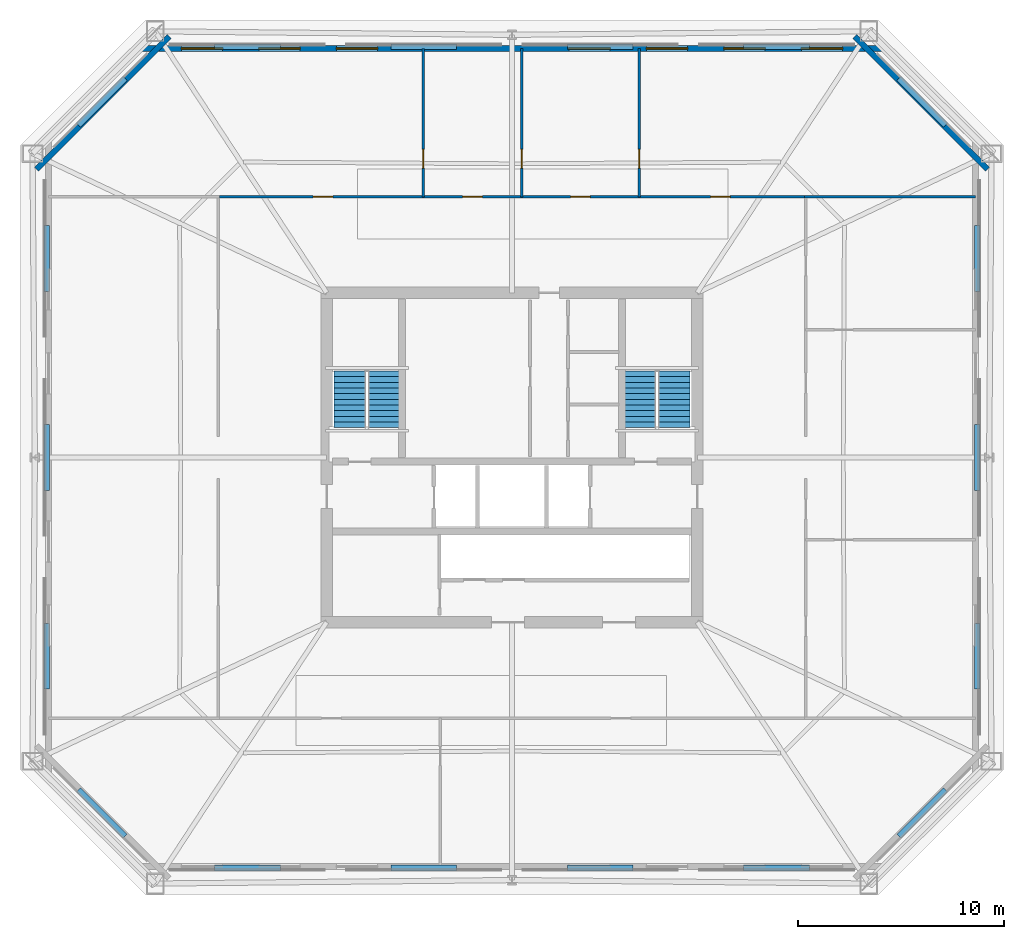
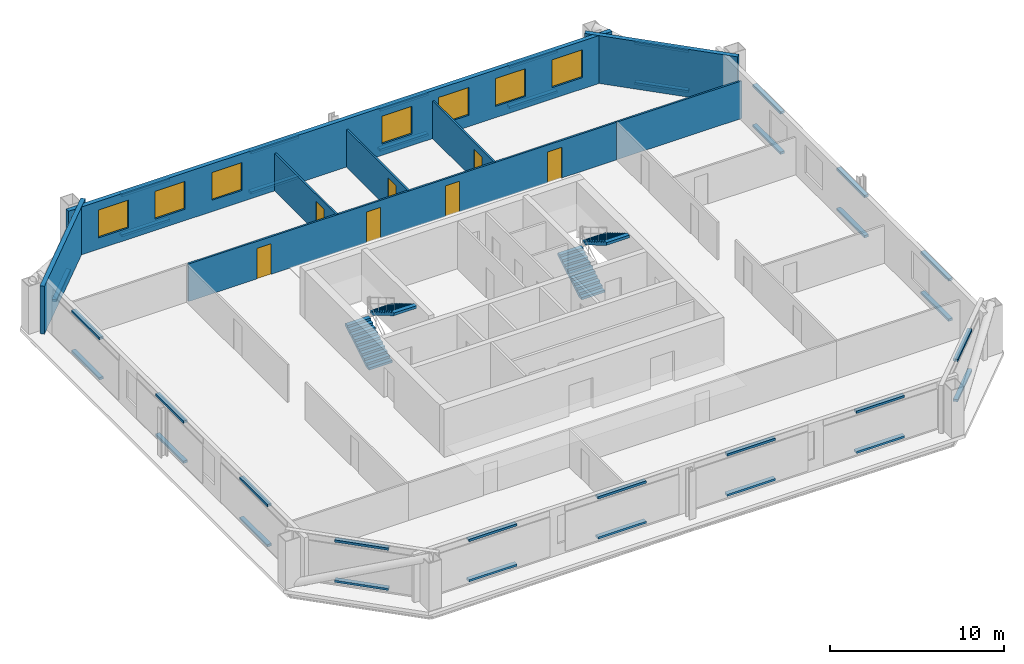
# One storey, part 4 of 6: 36 discrete accessories, 8 walls, 7 doors, 7 windows, 4 stair flights, 14 openings, 2 elements without a shape of their own.
"""IFC4 building model written with IfcOpenShell, lengths in metres."""

import ifcopenshell
import ifcopenshell.guid

model = None  # the IFC model being written
_history = None  # IfcOwnerHistory: only IFC2X3 demands one
_inside = {}  # id of a spatial element -> (the spatial element, [elements in it])
_under = {}  # id of a project, library or spatial element -> (it, [spatial elements below it])
_declared = {}  # id of a project -> (the project, [libraries it declares])
_typed = {}  # id of a type object -> (the type object, [elements of that type])
_made_of = {}  # id of a material, layer set ... -> (it, [elements and type objects made of it])


def new_model(schema):
    """Start an empty IFC model of exactly this schema.

    Asked for "IFC4X3", IfcOpenShell would pick the latest addendum, in which some entities
    have other attributes; the version numbers below select the first issue.
    IFC2X3 requires an IfcOwnerHistory on every rooted entity: one is made here for all.
    """
    global model, _history
    if schema == "IFC4X3":
        model = ifcopenshell.file(schema_version=(4, 3, 0, 0))
    else:
        model = ifcopenshell.file(schema=schema)
    _inside.clear()
    _under.clear()
    _declared.clear()
    _typed.clear()
    _made_of.clear()
    _history = None
    if model.schema == "IFC2X3":
        org = make("IfcOrganization", Name="unknown")
        user = make(
            "IfcPersonAndOrganization",
            ThePerson=make("IfcPerson", FamilyName="unknown"),
            TheOrganization=org,
        )
        app = make(
            "IfcApplication",
            ApplicationDeveloper=org,
            Version="unknown",
            ApplicationFullName="unknown",
            ApplicationIdentifier="unknown",
        )
        _history = make(
            "IfcOwnerHistory",
            OwningUser=user,
            OwningApplication=app,
            ChangeAction="ADDED",
            CreationDate=0,
        )
    return model


def make(cls, **values):
    """One entity of the class cls with the attributes given. An attribute that is None is left unset."""
    return model.create_entity(
        cls, **{name: value for name, value in values.items() if value is not None}
    )


def rooted(cls, **values):
    """An entity with a GlobalId (a new one), such as an element, a storey or a relation."""
    return make(cls, GlobalId=ifcopenshell.guid.new(), OwnerHistory=_history, **values)


def si_unit(unit_type, name, prefix=None):
    """IfcSIUnit, for example si_unit("LENGTHUNIT", "METRE", prefix="MILLI")."""
    return make("IfcSIUnit", UnitType=unit_type, Prefix=prefix, Name=name)


def assignment(units):
    """IfcUnitAssignment: the units of a project."""
    return None if units is None else make("IfcUnitAssignment", Units=units)


def point(xyz):
    """IfcCartesianPoint."""
    return None if xyz is None else make("IfcCartesianPoint", Coordinates=xyz)


def direction(xyz):
    """IfcDirection."""
    return None if xyz is None else make("IfcDirection", DirectionRatios=xyz)


def frame(location, z_axis=None, x_axis=None):
    """IfcAxis2Placement3D, a coordinate frame: its origin and axes. An axis left out is left unset."""
    return make(
        "IfcAxis2Placement3D",
        Location=point(location),
        Axis=direction(z_axis),
        RefDirection=direction(x_axis),
    )


def frame_2d(location, x_axis=None):
    """IfcAxis2Placement2D, a coordinate frame in the plane: its origin and x axis."""
    return make(
        "IfcAxis2Placement2D", Location=point(location), RefDirection=direction(x_axis)
    )


def origin():
    """The frame at (0, 0, 0) with its axes left unset."""
    return frame((0.0, 0.0, 0.0))


def origin_2d():
    """The frame at (0, 0) in the plane with its x axis left unset."""
    return frame_2d((0.0, 0.0))


def place(relative_to, where):
    """IfcLocalPlacement: puts the frame where relative to a parent placement (None: the world)."""
    return make(
        "IfcLocalPlacement", PlacementRelTo=relative_to, RelativePlacement=where
    )


def context(
    kind, dimensions, precision=None, world=None, true_north=None, identifier=None
):
    """IfcGeometricRepresentationContext, for example the 3D "Model" context."""
    return make(
        "IfcGeometricRepresentationContext",
        ContextIdentifier=identifier,
        ContextType=kind,
        CoordinateSpaceDimension=dimensions,
        Precision=precision,
        WorldCoordinateSystem=world,
        TrueNorth=true_north,
    )


def subcontext(parent, identifier, kind, view, scale=None):
    """IfcGeometricRepresentationSubContext, for example "Body" below "Model"."""
    return make(
        "IfcGeometricRepresentationSubContext",
        ContextIdentifier=identifier,
        ContextType=kind,
        ParentContext=parent,
        TargetScale=scale,
        TargetView=view,
    )


def project(units=None, contexts=None):
    """IfcProject with its units and contexts."""
    return rooted(
        "IfcProject",
        Name="project",
        RepresentationContexts=contexts,
        UnitsInContext=assignment(units),
    )


def spatial(cls, under=None, at=None, **own):
    """A site, building, storey or space (cls), placed at a placement, below another one or the project."""
    s = rooted(cls, ObjectPlacement=at, **own)
    if under is not None:
        _under.setdefault(under.id(), (under, []))[1].append(s)
    return s


def polyline(points):
    """IfcPolyline through the points."""
    return make("IfcPolyline", Points=[point(p) for p in points])


def profile(cls, at=None, kind="AREA", **sizes):
    """A parametric profile (cls). Its sizes go by their IFC names, for example OverallWidth=200.0."""
    return make(cls, ProfileType=kind, Position=at, **sizes)


def rectangle(**sizes):
    """IfcRectangleProfileDef."""
    return profile("IfcRectangleProfileDef", **sizes)


def outline(outer, holes=None, kind="AREA"):
    """IfcArbitraryClosedProfileDef: a profile drawn as a closed curve; with holes, ...WithVoids."""
    if holes is None:
        return make("IfcArbitraryClosedProfileDef", ProfileType=kind, OuterCurve=outer)
    return make(
        "IfcArbitraryProfileDefWithVoids",
        ProfileType=kind,
        OuterCurve=outer,
        InnerCurves=holes,
    )


def extrude(swept, where, along, depth):
    """IfcExtrudedAreaSolid: the profile swept, set in the frame where, extruded along a direction by depth."""
    return make(
        "IfcExtrudedAreaSolid",
        SweptArea=swept,
        Position=where,
        ExtrudedDirection=direction(along),
        Depth=depth,
    )


def shape(context_of_items, identifier, shape_type, items):
    """IfcShapeRepresentation: the items that make up one representation, for example the "Body"."""
    return make(
        "IfcShapeRepresentation",
        ContextOfItems=context_of_items,
        RepresentationIdentifier=identifier,
        RepresentationType=shape_type,
        Items=items,
    )


def material(Name=None, Category=None):
    """IfcMaterial."""
    return make("IfcMaterial", Name=Name, Category=Category)


def layer(
    of_material, thickness, ventilated=None, Name=None, Category=None, Priority=None
):
    """IfcMaterialLayer: one layer of a wall or slab, of a material (None: an air gap)."""
    return make(
        "IfcMaterialLayer",
        Material=of_material,
        LayerThickness=thickness,
        IsVentilated=ventilated,
        Name=Name,
        Category=Category,
        Priority=Priority,
    )


def layer_set(layers, Name=None):
    """IfcMaterialLayerSet."""
    return make("IfcMaterialLayerSet", MaterialLayers=layers, LayerSetName=Name)


def made_of(thing, what):
    """Note that an element or type object is made of a material, layer set ...; save() writes the relation."""
    if what is not None:
        _made_of.setdefault(what.id(), (what, []))[1].append(thing)
    return thing


def type_object(cls, material=None, **own):
    """A type object (cls), such as IfcWallType, which elements share."""
    return made_of(rooted(cls, **own), material)


def element(
    cls,
    number,
    at=None,
    inside=None,
    cuts=None,
    type_object=None,
    material=None,
    context=None,
    identifier="Body",
    shape_type=None,
    held_by="IfcProductDefinitionShape",
    body=None,
    shapes=None,
    **own,
):
    """One element of the class cls, such as IfcWall. Its Tag is "e" and its number.

    at: its placement. inside: the storey or other place that contains it. cuts: it is an
    opening in that element (IfcRelVoidsElement). A single representation is given by context,
    identifier, shape_type and body (its items); several are given by shapes. held_by: the class
    of the entity that holds the representations. save() writes the other relations.
    """
    e = rooted(cls, Tag="e%d" % number, ObjectPlacement=at, **own)
    if body is not None:
        shapes = [shape(context, identifier, shape_type, body)]
    if shapes is not None:
        e.Representation = make(held_by, Representations=shapes)
    if inside is not None:
        _inside.setdefault(inside.id(), (inside, []))[1].append(e)
    if cuts is not None:
        rooted(
            "IfcRelVoidsElement", RelatingBuildingElement=cuts, RelatedOpeningElement=e
        )
    if type_object is not None:
        _typed.setdefault(type_object.id(), (type_object, []))[1].append(e)
    return made_of(e, material)


def fill(opening, filler):
    """IfcRelFillsElement: the door or window that sits in an opening."""
    return rooted(
        "IfcRelFillsElement",
        RelatingOpeningElement=opening,
        RelatedBuildingElement=filler,
    )


def aggregate(whole, parts):
    """IfcRelAggregates: a whole, such as a stair, and the parts it consists of."""
    return rooted("IfcRelAggregates", RelatingObject=whole, RelatedObjects=parts)


def save(model, path):
    """Write the relations noted so far, then the file.

    IfcRelAggregates (storeys below a building ...), IfcRelContainedInSpatialStructure (elements
    in a storey), IfcRelDefinesByType, IfcRelAssociatesMaterial and IfcRelDeclares: one each for
    every whole, place, type object, material and project.
    """
    for whole, parts in _under.values():
        aggregate(whole, parts)
    for where, things in _inside.values():
        rooted(
            "IfcRelContainedInSpatialStructure",
            RelatedElements=things,
            RelatingStructure=where,
        )
    for kind, things in _typed.values():
        rooted("IfcRelDefinesByType", RelatedObjects=things, RelatingType=kind)
    for what, things in _made_of.values():
        rooted("IfcRelAssociatesMaterial", RelatedObjects=things, RelatingMaterial=what)
    for by, libraries in _declared.values():
        rooted("IfcRelDeclares", RelatingContext=by, RelatedDefinitions=libraries)
    model.write(path)


model = new_model("IFC4")

# Units and contexts
model_context = context("Model", 3, precision=1e-05, world=origin(), true_north=direction((0.0, 1.0)))
body_context = subcontext(model_context, "Body", "Model", "MODEL_VIEW")
ifc_project = project(units=[si_unit("LENGTHUNIT", "METRE"), si_unit("AREAUNIT", "SQUARE_METRE"), si_unit("VOLUMEUNIT", "CUBIC_METRE"), si_unit("PLANEANGLEUNIT", "RADIAN"), si_unit("MASSUNIT", "GRAM", prefix="KILO")], contexts=[model_context])

# Site, building, storey
site_placement = place(None, origin())
site = spatial("IfcSite", under=ifc_project, at=site_placement, CompositionType="ELEMENT")
building_placement = place(site_placement, origin())
building = spatial("IfcBuilding", under=site, at=building_placement, Name="Caelvoria Tower", CompositionType="ELEMENT")
storey_placement = place(building_placement, frame((0.0, 0.0, 131.199951171875)))
storey = spatial("IfcBuildingStorey", under=building, at=storey_placement, Name="L34", CompositionType="ELEMENT", Elevation=131.199951171875)

# Wall
ifc_material_1 = material(Name="Precast Concrete C40/50 with Bronze Cladding", Category="concrete")
ifc_layer_1 = layer(ifc_material_1, 0.280029296875, Name="Precast Concrete C40/50 with Bronze Cladding")
ifc_layer_set_1 = layer_set([ifc_layer_1], Name="Exterior Precast Concrete C40/50 Bronze-Clad Facade Wall 280 - Precast Concrete C40/50 with Bronze Cladding")
wall_type_1 = type_object("IfcWallType", Name="Exterior Precast Concrete C40/50 Bronze-Clad Facade Wall 280", PredefinedType="STANDARD", material=ifc_layer_set_1)
wall_1_placement = place(storey_placement, frame((69.093994140625, 46.00439453125, 0.0), z_axis=(0.0, 0.0, 1.0), x_axis=(-0.707106781187, 0.707106781187, 0.0)))
element("IfcWall", 1, at=wall_1_placement, inside=storey, type_object=wall_type_1, Name="Exterior Facade Wall L34-E3", PredefinedType="STANDARD", context=body_context, shape_type="SweptSolid", body=[
    extrude(rectangle(XDim=9.106689453125, YDim=0.280029296875, at=frame_2d((4.55322265625, 0.0))), origin(), (0.0, 0.0, 1.0), 3.360107421875),
])

# Wall, openings, windows
wall_2_placement = place(storey_placement, frame((64.0400390625, 51.8701171875, 0.0), z_axis=(0.0, 0.0, 1.0), x_axis=(-1.0, 0.0, 0.0)))
wall_2 = element("IfcWall", 2, at=wall_2_placement, inside=storey, type_object=wall_type_1, Name="Exterior Facade Wall L34-E4", PredefinedType="STANDARD", context=body_context, shape_type="SweptSolid", body=[
    extrude(rectangle(XDim=36.080078125, YDim=0.280029296875, at=frame_2d((18.0400390625, 0.0))), origin(), (0.0, 0.0, 1.0), 3.360107421875),
])
opening_1_placement = place(wall_2_placement, frame((1.982177734375, 0.0, 0.800048828125)))
opening_1 = element("IfcOpeningElement", 3, at=opening_1_placement, cuts=wall_2, Name="Opening WN-01", PredefinedType="OPENING", context=body_context, shape_type="SweptSolid", body=[
    extrude(rectangle(XDim=2.0, YDim=1.949951171875, at=frame_2d((1.0, 0.97509765625))), frame((0.0, 0.14990234375, 0.0), z_axis=(0.0, -1.0, 0.0), x_axis=(1.0, 0.0, 0.0)), (0.0, 0.0, 1.0), 0.300048828125),
])
opening_2_placement = place(wall_2_placement, frame((5.74658203125, 0.0, 0.800048828125)))
opening_2 = element("IfcOpeningElement", 4, at=opening_2_placement, cuts=wall_2, Name="Opening WN-01", PredefinedType="OPENING", context=body_context, shape_type="SweptSolid", body=[
    extrude(rectangle(XDim=2.0, YDim=1.949951171875, at=frame_2d((1.0, 0.97509765625))), frame((0.0, 0.14990234375, 0.0), z_axis=(0.0, -1.0, 0.0), x_axis=(1.0, 0.0, 0.0)), (0.0, 0.0, 1.0), 0.300048828125),
])
opening_3_placement = place(wall_2_placement, frame((9.510986328125, 0.0, 0.800048828125)))
opening_3 = element("IfcOpeningElement", 5, at=opening_3_placement, cuts=wall_2, Name="Opening WN-01", PredefinedType="OPENING", context=body_context, shape_type="SweptSolid", body=[
    extrude(rectangle(XDim=2.0, YDim=1.949951171875, at=frame_2d((1.0, 0.97509765625))), frame((0.0, 0.14990234375, 0.0), z_axis=(0.0, -1.0, 0.0), x_axis=(1.0, 0.0, 0.0)), (0.0, 0.0, 1.0), 0.300048828125),
])
opening_4_placement = place(wall_2_placement, frame((13.275634765625, 0.0, 0.800048828125)))
opening_4 = element("IfcOpeningElement", 6, at=opening_4_placement, cuts=wall_2, Name="Opening WN-01", PredefinedType="OPENING", context=body_context, shape_type="SweptSolid", body=[
    extrude(rectangle(XDim=2.0, YDim=1.949951171875, at=frame_2d((1.0, 0.97509765625))), frame((0.0, 0.14990234375, 0.0), z_axis=(0.0, -1.0, 0.0), x_axis=(1.0, 0.0, 0.0)), (0.0, 0.0, 1.0), 0.300048828125),
])
opening_5_placement = place(wall_2_placement, frame((24.56884765625, 0.0, 0.800048828125)))
opening_5 = element("IfcOpeningElement", 7, at=opening_5_placement, cuts=wall_2, Name="Opening WN-01", PredefinedType="OPENING", context=body_context, shape_type="SweptSolid", body=[
    extrude(rectangle(XDim=2.0, YDim=1.949951171875, at=frame_2d((1.0, 0.97509765625))), frame((0.0, 0.14990234375, 0.0), z_axis=(0.0, -1.0, 0.0), x_axis=(1.0, 0.0, 0.0)), (0.0, 0.0, 1.0), 0.300048828125),
])
opening_6_placement = place(wall_2_placement, frame((28.333251953125, 0.0, 0.800048828125)))
opening_6 = element("IfcOpeningElement", 8, at=opening_6_placement, cuts=wall_2, Name="Opening WN-01", PredefinedType="OPENING", context=body_context, shape_type="SweptSolid", body=[
    extrude(rectangle(XDim=2.0, YDim=1.949951171875, at=frame_2d((1.0, 0.97509765625))), frame((0.0, 0.14990234375, 0.0), z_axis=(0.0, -1.0, 0.0), x_axis=(1.0, 0.0, 0.0)), (0.0, 0.0, 1.0), 0.300048828125),
])
opening_7_placement = place(wall_2_placement, frame((32.097900390625, 0.0, 0.800048828125)))
opening_7 = element("IfcOpeningElement", 9, at=opening_7_placement, cuts=wall_2, Name="Opening WN-01", PredefinedType="OPENING", context=body_context, shape_type="SweptSolid", body=[
    extrude(rectangle(XDim=2.0, YDim=1.949951171875, at=frame_2d((1.0, 0.97509765625))), frame((0.0, 0.14990234375, 0.0), z_axis=(0.0, -1.0, 0.0), x_axis=(1.0, 0.0, 0.0)), (0.0, 0.0, 1.0), 0.300048828125),
])
ifc_material_2 = material(Name="Low-E Tinted Glass in Bronze Aluminium Frame", Category="aluminium")
window_type = type_object("IfcWindowType", Name="Tower Office Vision Window 2000x1950", PartitioningType="SINGLE_PANEL", PredefinedType="WINDOW", material=ifc_material_2)
window_1_placement = place(opening_1_placement, origin())
window_1 = element("IfcWindow", 10, at=window_1_placement, inside=storey, type_object=window_type, Name="Facade Window L34-E4-00", OverallHeight=1.949951171875, OverallWidth=2.0, PartitioningType="SINGLE_PANEL", PredefinedType="WINDOW", context=body_context, shape_type="SweptSolid", body=[
    extrude(rectangle(XDim=2.0, YDim=1.949951171875, at=frame_2d((1.0, 0.97509765625))), frame((0.0, 0.030029296875, 0.0), z_axis=(0.0, -1.0, 0.0), x_axis=(1.0, 0.0, 0.0)), (0.0, 0.0, 1.0), 0.06005859375),
])
fill(opening_1, window_1)
window_2_placement = place(opening_2_placement, origin())
window_2 = element("IfcWindow", 11, at=window_2_placement, inside=storey, type_object=window_type, Name="Facade Window L34-E4-01", OverallHeight=1.949951171875, OverallWidth=2.0, PartitioningType="SINGLE_PANEL", PredefinedType="WINDOW", context=body_context, shape_type="SweptSolid", body=[
    extrude(rectangle(XDim=2.0, YDim=1.949951171875, at=frame_2d((1.0, 0.97509765625))), frame((0.0, 0.030029296875, 0.0), z_axis=(0.0, -1.0, 0.0), x_axis=(1.0, 0.0, 0.0)), (0.0, 0.0, 1.0), 0.06005859375),
])
fill(opening_2, window_2)
window_3_placement = place(opening_3_placement, origin())
window_3 = element("IfcWindow", 12, at=window_3_placement, inside=storey, type_object=window_type, Name="Facade Window L34-E4-02", OverallHeight=1.949951171875, OverallWidth=2.0, PartitioningType="SINGLE_PANEL", PredefinedType="WINDOW", context=body_context, shape_type="SweptSolid", body=[
    extrude(rectangle(XDim=2.0, YDim=1.949951171875, at=frame_2d((1.0, 0.97509765625))), frame((0.0, 0.030029296875, 0.0), z_axis=(0.0, -1.0, 0.0), x_axis=(1.0, 0.0, 0.0)), (0.0, 0.0, 1.0), 0.06005859375),
])
fill(opening_3, window_3)
window_4_placement = place(opening_4_placement, origin())
window_4 = element("IfcWindow", 13, at=window_4_placement, inside=storey, type_object=window_type, Name="Facade Window L34-E4-03", OverallHeight=1.949951171875, OverallWidth=2.0, PartitioningType="SINGLE_PANEL", PredefinedType="WINDOW", context=body_context, shape_type="SweptSolid", body=[
    extrude(rectangle(XDim=2.0, YDim=1.949951171875, at=frame_2d((1.0, 0.97509765625))), frame((0.0, 0.030029296875, 0.0), z_axis=(0.0, -1.0, 0.0), x_axis=(1.0, 0.0, 0.0)), (0.0, 0.0, 1.0), 0.06005859375),
])
fill(opening_4, window_4)
window_5_placement = place(opening_5_placement, origin())
window_5 = element("IfcWindow", 14, at=window_5_placement, inside=storey, type_object=window_type, Name="Facade Window L34-E4-06", OverallHeight=1.949951171875, OverallWidth=2.0, PartitioningType="SINGLE_PANEL", PredefinedType="WINDOW", context=body_context, shape_type="SweptSolid", body=[
    extrude(rectangle(XDim=2.0, YDim=1.949951171875, at=frame_2d((1.0, 0.97509765625))), frame((0.0, 0.030029296875, 0.0), z_axis=(0.0, -1.0, 0.0), x_axis=(1.0, 0.0, 0.0)), (0.0, 0.0, 1.0), 0.06005859375),
])
fill(opening_5, window_5)
window_6_placement = place(opening_6_placement, origin())
window_6 = element("IfcWindow", 15, at=window_6_placement, inside=storey, type_object=window_type, Name="Facade Window L34-E4-07", OverallHeight=1.949951171875, OverallWidth=2.0, PartitioningType="SINGLE_PANEL", PredefinedType="WINDOW", context=body_context, shape_type="SweptSolid", body=[
    extrude(rectangle(XDim=2.0, YDim=1.949951171875, at=frame_2d((1.0, 0.97509765625))), frame((0.0, 0.030029296875, 0.0), z_axis=(0.0, -1.0, 0.0), x_axis=(1.0, 0.0, 0.0)), (0.0, 0.0, 1.0), 0.06005859375),
])
fill(opening_6, window_6)
window_7_placement = place(opening_7_placement, origin())
window_7 = element("IfcWindow", 16, at=window_7_placement, inside=storey, type_object=window_type, Name="Facade Window L34-E4-08", OverallHeight=1.949951171875, OverallWidth=2.0, PartitioningType="SINGLE_PANEL", PredefinedType="WINDOW", context=body_context, shape_type="SweptSolid", body=[
    extrude(rectangle(XDim=2.0, YDim=1.949951171875, at=frame_2d((1.0, 0.97509765625))), frame((0.0, 0.030029296875, 0.0), z_axis=(0.0, -1.0, 0.0), x_axis=(1.0, 0.0, 0.0)), (0.0, 0.0, 1.0), 0.06005859375),
])
fill(opening_7, window_7)

# Wall
wall_3_placement = place(storey_placement, frame((29.345458984375, 52.44384765625, 0.0), z_axis=(0.0, 0.0, 1.0), x_axis=(-0.707106781187, -0.707106781187, 0.0)))
element("IfcWall", 17, at=wall_3_placement, inside=storey, type_object=wall_type_1, Name="Exterior Facade Wall L34-E5", PredefinedType="STANDARD", context=body_context, shape_type="SweptSolid", body=[
    extrude(rectangle(XDim=9.106689453125, YDim=0.280029296875, at=frame_2d((4.55322265625, 0.0))), origin(), (0.0, 0.0, 1.0), 3.360107421875),
])

# Wall, opening, door
ifc_material_3 = material(Name="Acoustic Gypsum Board on Light-Gauge Stud", Category="gypsum")
ifc_layer_2 = layer(ifc_material_3, 0.1201171875, Name="Acoustic Gypsum Board on Light-Gauge Stud")
ifc_layer_set_2 = layer_set([ifc_layer_2], Name="Tenant Suite Acoustic Partition Wall 120 - Acoustic Gypsum Board on Light-Gauge Stud")
wall_type_2 = type_object("IfcWallType", Name="Tenant Suite Acoustic Partition Wall 120", PredefinedType="PARTITIONING", material=ifc_layer_set_2)
wall_4_placement = place(storey_placement, frame((41.697265625, 44.659912109375, 0.0), z_axis=(0.0, 0.0, 1.0), x_axis=(0.0, 1.0, 0.0)))
wall_4 = element("IfcWall", 18, at=wall_4_placement, inside=storey, type_object=wall_type_2, Name="Interior Partition IW-L34-ND-00-0", PredefinedType="PARTITIONING", context=body_context, shape_type="SweptSolid", body=[
    extrude(rectangle(XDim=7.210205078125, YDim=0.1201171875, at=frame_2d((3.60498046875, 0.0))), origin(), (0.0, 0.0, 1.0), 2.64013671875),
])
opening_8_placement = place(wall_4_placement, frame((1.39990234375, 0.0, 0.0)))
opening_8 = element("IfcOpeningElement", 19, at=opening_8_placement, cuts=wall_4, Name="Opening ID-06", PredefinedType="OPENING", context=body_context, shape_type="SweptSolid", body=[
    extrude(rectangle(XDim=0.89990234375, YDim=2.14990234375, at=frame_2d((0.449951171875, 1.074951171875))), frame((0.0, 0.070068359375, 0.0), z_axis=(0.0, -1.0, 0.0), x_axis=(1.0, 0.0, 0.0)), (0.0, 0.0, 1.0), 0.14013671875),
])
ifc_material_4 = material(Name="Engineered Andean Oak Veneer Door", Category="wood")
door_type_1 = type_object("IfcDoorType", Name="Interior Timber Door 900x2150", OperationType="NOTDEFINED", PredefinedType="DOOR", material=ifc_material_4)
door_1_placement = place(opening_8_placement, origin())
door_1 = element("IfcDoor", 20, at=door_1_placement, inside=storey, type_object=door_type_1, Name="Interior Door DR-L34-NM-00-0", OperationType="SINGLE_SWING_RIGHT", OverallHeight=2.14990234375, OverallWidth=0.89990234375, PredefinedType="DOOR", context=body_context, shape_type="SweptSolid", body=[
    extrude(rectangle(XDim=0.89990234375, YDim=2.14990234375, at=frame_2d((0.449951171875, 1.074951171875))), frame((0.0, 0.02490234375, 0.0), z_axis=(0.0, -1.0, 0.0), x_axis=(1.0, 0.0, 0.0)), (0.0, 0.0, 1.0), 0.050048828125),
])
fill(opening_8, door_1)

wall_5_placement = place(storey_placement, frame((46.466552734375, 44.659912109375, 0.0), z_axis=(0.0, 0.0, 1.0), x_axis=(0.0, 1.0, 0.0)))
wall_5 = element("IfcWall", 21, at=wall_5_placement, inside=storey, type_object=wall_type_2, Name="Interior Partition IW-L34-ND-01-0", PredefinedType="PARTITIONING", context=body_context, shape_type="SweptSolid", body=[
    extrude(rectangle(XDim=7.210205078125, YDim=0.1201171875, at=frame_2d((3.60498046875, 0.0))), origin(), (0.0, 0.0, 1.0), 2.64013671875),
])
opening_9_placement = place(wall_5_placement, frame((1.39990234375, 0.0, 0.0)))
opening_9 = element("IfcOpeningElement", 22, at=opening_9_placement, cuts=wall_5, Name="Opening ID-06", PredefinedType="OPENING", context=body_context, shape_type="SweptSolid", body=[
    extrude(rectangle(XDim=0.89990234375, YDim=2.14990234375, at=frame_2d((0.449951171875, 1.074951171875))), frame((0.0, 0.070068359375, 0.0), z_axis=(0.0, -1.0, 0.0), x_axis=(1.0, 0.0, 0.0)), (0.0, 0.0, 1.0), 0.14013671875),
])
door_2_placement = place(opening_9_placement, origin())
door_2 = element("IfcDoor", 23, at=door_2_placement, inside=storey, type_object=door_type_1, Name="Interior Door DR-L34-NM-01-0", OperationType="SINGLE_SWING_LEFT", OverallHeight=2.14990234375, OverallWidth=0.89990234375, PredefinedType="DOOR", context=body_context, shape_type="SweptSolid", body=[
    extrude(rectangle(XDim=0.89990234375, YDim=2.14990234375, at=frame_2d((0.449951171875, 1.074951171875))), frame((0.0, 0.02490234375, 0.0), z_axis=(0.0, -1.0, 0.0), x_axis=(1.0, 0.0, 0.0)), (0.0, 0.0, 1.0), 0.050048828125),
])
fill(opening_9, door_2)

wall_6_placement = place(storey_placement, frame((52.179443359375, 44.659912109375, 0.0), z_axis=(0.0, 0.0, 1.0), x_axis=(0.0, 1.0, 0.0)))
wall_6 = element("IfcWall", 24, at=wall_6_placement, inside=storey, type_object=wall_type_2, Name="Interior Partition IW-L34-ND-02-0", PredefinedType="PARTITIONING", context=body_context, shape_type="SweptSolid", body=[
    extrude(rectangle(XDim=7.210205078125, YDim=0.1201171875, at=frame_2d((3.60498046875, 0.0))), origin(), (0.0, 0.0, 1.0), 2.64013671875),
])
opening_10_placement = place(wall_6_placement, frame((1.39990234375, 0.0, 0.0)))
opening_10 = element("IfcOpeningElement", 25, at=opening_10_placement, cuts=wall_6, Name="Opening ID-06", PredefinedType="OPENING", context=body_context, shape_type="SweptSolid", body=[
    extrude(rectangle(XDim=0.89990234375, YDim=2.14990234375, at=frame_2d((0.449951171875, 1.074951171875))), frame((0.0, 0.070068359375, 0.0), z_axis=(0.0, -1.0, 0.0), x_axis=(1.0, 0.0, 0.0)), (0.0, 0.0, 1.0), 0.14013671875),
])
door_3_placement = place(opening_10_placement, origin())
door_3 = element("IfcDoor", 26, at=door_3_placement, inside=storey, type_object=door_type_1, Name="Interior Door DR-L34-NM-02-0", OperationType="SINGLE_SWING_RIGHT", OverallHeight=2.14990234375, OverallWidth=0.89990234375, PredefinedType="DOOR", context=body_context, shape_type="SweptSolid", body=[
    extrude(rectangle(XDim=0.89990234375, YDim=2.14990234375, at=frame_2d((0.449951171875, 1.074951171875))), frame((0.0, 0.02490234375, 0.0), z_axis=(0.0, -1.0, 0.0), x_axis=(1.0, 0.0, 0.0)), (0.0, 0.0, 1.0), 0.050048828125),
])
fill(opening_10, door_3)

# Wall, openings, doors
wall_7_placement = place(storey_placement, frame((31.800048828125, 44.659912109375, 0.0), z_axis=(0.0, 0.0, 1.0), x_axis=(1.0, 0.0, 0.0)))
wall_7 = element("IfcWall", 27, at=wall_7_placement, inside=storey, type_object=wall_type_2, Name="Interior Partition IW-L34-NCW-0", PredefinedType="PARTITIONING", context=body_context, shape_type="SweptSolid", body=[
    extrude(rectangle(XDim=28.39990234375, YDim=0.1201171875, at=frame_2d((14.199951171875, 0.0))), origin(), (0.0, 0.0, 1.0), 2.64013671875),
])
opening_11_placement = place(wall_7_placement, frame((4.543701171875, 0.0, 0.0)))
opening_11 = element("IfcOpeningElement", 28, at=opening_11_placement, cuts=wall_7, Name="Opening ID-05", PredefinedType="OPENING", context=body_context, shape_type="SweptSolid", body=[
    extrude(rectangle(XDim=0.949951171875, YDim=2.14990234375, at=frame_2d((0.47509765625, 1.074951171875))), frame((0.0, 0.070068359375, 0.0), z_axis=(0.0, -1.0, 0.0), x_axis=(1.0, 0.0, 0.0)), (0.0, 0.0, 1.0), 0.14013671875),
])
opening_12_placement = place(wall_7_placement, frame((11.806884765625, 0.0, 0.0)))
opening_12 = element("IfcOpeningElement", 29, at=opening_12_placement, cuts=wall_7, Name="Opening ID-05", PredefinedType="OPENING", context=body_context, shape_type="SweptSolid", body=[
    extrude(rectangle(XDim=0.949951171875, YDim=2.14990234375, at=frame_2d((0.47509765625, 1.074951171875))), frame((0.0, 0.070068359375, 0.0), z_axis=(0.0, -1.0, 0.0), x_axis=(1.0, 0.0, 0.0)), (0.0, 0.0, 1.0), 0.14013671875),
])
opening_13_placement = place(wall_7_placement, frame((17.048095703125, 0.0, 0.0)))
opening_13 = element("IfcOpeningElement", 30, at=opening_13_placement, cuts=wall_7, Name="Opening ID-05", PredefinedType="OPENING", context=body_context, shape_type="SweptSolid", body=[
    extrude(rectangle(XDim=0.949951171875, YDim=2.14990234375, at=frame_2d((0.47509765625, 1.074951171875))), frame((0.0, 0.070068359375, 0.0), z_axis=(0.0, -1.0, 0.0), x_axis=(1.0, 0.0, 0.0)), (0.0, 0.0, 1.0), 0.14013671875),
])
opening_14_placement = place(wall_7_placement, frame((23.8447265625, 0.0, 0.0)))
opening_14 = element("IfcOpeningElement", 31, at=opening_14_placement, cuts=wall_7, Name="Opening ID-05", PredefinedType="OPENING", context=body_context, shape_type="SweptSolid", body=[
    extrude(rectangle(XDim=0.949951171875, YDim=2.14990234375, at=frame_2d((0.47509765625, 1.074951171875))), frame((0.0, 0.070068359375, 0.0), z_axis=(0.0, -1.0, 0.0), x_axis=(1.0, 0.0, 0.0)), (0.0, 0.0, 1.0), 0.14013671875),
])
door_type_2 = type_object("IfcDoorType", Name="Interior Timber Door 950x2150", OperationType="NOTDEFINED", PredefinedType="DOOR", material=ifc_material_4)
door_4_placement = place(opening_11_placement, origin())
door_4 = element("IfcDoor", 32, at=door_4_placement, inside=storey, type_object=door_type_2, Name="Interior Door DR-L34-NC-00-0", OperationType="SINGLE_SWING_LEFT", OverallHeight=2.14990234375, OverallWidth=0.949951171875, PredefinedType="DOOR", context=body_context, shape_type="SweptSolid", body=[
    extrude(rectangle(XDim=0.949951171875, YDim=2.14990234375, at=frame_2d((0.47509765625, 1.074951171875))), frame((0.0, 0.02490234375, 0.0), z_axis=(0.0, -1.0, 0.0), x_axis=(1.0, 0.0, 0.0)), (0.0, 0.0, 1.0), 0.050048828125),
])
fill(opening_11, door_4)
door_5_placement = place(opening_12_placement, origin())
door_5 = element("IfcDoor", 33, at=door_5_placement, inside=storey, type_object=door_type_2, Name="Interior Door DR-L34-NC-01-0", OperationType="SINGLE_SWING_RIGHT", OverallHeight=2.14990234375, OverallWidth=0.949951171875, PredefinedType="DOOR", context=body_context, shape_type="SweptSolid", body=[
    extrude(rectangle(XDim=0.949951171875, YDim=2.14990234375, at=frame_2d((0.47509765625, 1.074951171875))), frame((0.0, 0.02490234375, 0.0), z_axis=(0.0, -1.0, 0.0), x_axis=(1.0, 0.0, 0.0)), (0.0, 0.0, 1.0), 0.050048828125),
])
fill(opening_12, door_5)
door_6_placement = place(opening_13_placement, origin())
door_6 = element("IfcDoor", 34, at=door_6_placement, inside=storey, type_object=door_type_2, Name="Interior Door DR-L34-NC-02-0", OperationType="SINGLE_SWING_LEFT", OverallHeight=2.14990234375, OverallWidth=0.949951171875, PredefinedType="DOOR", context=body_context, shape_type="SweptSolid", body=[
    extrude(rectangle(XDim=0.949951171875, YDim=2.14990234375, at=frame_2d((0.47509765625, 1.074951171875))), frame((0.0, 0.02490234375, 0.0), z_axis=(0.0, -1.0, 0.0), x_axis=(1.0, 0.0, 0.0)), (0.0, 0.0, 1.0), 0.050048828125),
])
fill(opening_13, door_6)
door_7_placement = place(opening_14_placement, origin())
door_7 = element("IfcDoor", 35, at=door_7_placement, inside=storey, type_object=door_type_2, Name="Interior Door DR-L34-NC-03-0", OperationType="SINGLE_SWING_RIGHT", OverallHeight=2.14990234375, OverallWidth=0.949951171875, PredefinedType="DOOR", context=body_context, shape_type="SweptSolid", body=[
    extrude(rectangle(XDim=0.949951171875, YDim=2.14990234375, at=frame_2d((0.47509765625, 1.074951171875))), frame((0.0, 0.02490234375, 0.0), z_axis=(0.0, -1.0, 0.0), x_axis=(1.0, 0.0, 0.0)), (0.0, 0.0, 1.0), 0.050048828125),
])
fill(opening_14, door_7)

# Wall
wall_8_placement = place(storey_placement, frame((60.199951171875, 44.659912109375, 0.0), z_axis=(0.0, 0.0, 1.0), x_axis=(1.0, 0.0, 0.0)))
element("IfcWall", 36, at=wall_8_placement, inside=storey, type_object=wall_type_2, Name="Interior Partition IW-L34-BNE-0", PredefinedType="PARTITIONING", context=body_context, shape_type="SweptSolid", body=[
    extrude(rectangle(XDim=8.320068359375, YDim=0.1201171875, at=frame_2d((4.16015625, 0.0))), origin(), (0.0, 0.0, 1.0), 2.64013671875),
])

# Stair, stair flights
ifc_material_5 = material(Name="Concrete C40/50", Category="concrete")
stair_type = type_object("IfcStairType", Name="Core Smokeproof Dogleg Stair Concrete C40/50", PredefinedType="HALF_TURN_STAIR", material=ifc_material_5)
stair_1_placement = place(storey_placement, origin())
stair_1 = element("IfcStair", 37, at=stair_1_placement, inside=storey, type_object=stair_type, Name="ST-01 Smokeproof Exit Stair L34", PredefinedType="HALF_TURN_STAIR")
ifc_material_6 = material(Name="Precast Concrete C40/50", Category="concrete")
stair_flight_type = type_object("IfcStairFlightType", Name="Precast Concrete C40/50 Stair Flight 1480", PredefinedType="STRAIGHT", material=ifc_material_6)
stair_flight_1_placement = place(storey_placement, frame((38.1298828125, 33.449951171875, 0.0), z_axis=(0.0, 0.0, 1.0), x_axis=(0.0, 1.0, 0.0)))
stair_flight_1 = element("IfcStairFlight", 38, at=stair_flight_1_placement, type_object=stair_flight_type, Name="ST-01 flight 1", NumberOfRisers=11, NumberOfTreads=10, PredefinedType="STRAIGHT", RiserHeight=0.1636, TreadLength=0.275, context=body_context, shape_type="SweptSolid", body=[
    extrude(outline(polyline([(0.0, 0.0), (0.0, 0.16357421875), (0.27490234375, 0.16357421875), (0.27490234375, 0.3271484375), (0.550048828125, 0.3271484375), (0.550048828125, 0.49072265625), (0.824951171875, 0.49072265625), (0.824951171875, 0.654296875), (1.10009765625, 0.654296875), (1.10009765625, 0.818115234375), (1.375, 0.818115234375), (1.375, 0.981689453125), (1.64990234375, 0.981689453125), (1.64990234375, 1.145263671875), (1.925048828125, 1.145263671875), (1.925048828125, 1.308837890625), (2.199951171875, 1.308837890625), (2.199951171875, 1.472412109375), (2.47509765625, 1.472412109375), (2.47509765625, 1.635986328125), (2.75, 1.635986328125), (2.75, 1.799560546875), (2.75, 1.449951171875), (0.312744140625, 0.0), (0.0, 0.0)])), frame((0.0, 0.77001953125, 0.0), z_axis=(0.0, -1.0, 0.0), x_axis=(1.0, 0.0, 0.0)), (0.0, 0.0, 1.0), 1.5400390625),
])
stair_flight_2_placement = place(storey_placement, frame((39.77001953125, 36.199951171875, 1.800048828125), z_axis=(0.0, 0.0, 1.0), x_axis=(0.0, -1.0, 0.0)))
stair_flight_2 = element("IfcStairFlight", 39, at=stair_flight_2_placement, type_object=stair_flight_type, Name="ST-01 flight 2", NumberOfRisers=11, NumberOfTreads=10, PredefinedType="STRAIGHT", RiserHeight=0.1636, TreadLength=0.275, context=body_context, shape_type="SweptSolid", body=[
    extrude(outline(polyline([(0.0, 0.0), (0.0, 0.16357421875), (0.27490234375, 0.16357421875), (0.27490234375, 0.3271484375), (0.550048828125, 0.3271484375), (0.550048828125, 0.49072265625), (0.824951171875, 0.49072265625), (0.824951171875, 0.654296875), (1.10009765625, 0.654296875), (1.10009765625, 0.818115234375), (1.375, 0.818115234375), (1.375, 0.981689453125), (1.64990234375, 0.981689453125), (1.64990234375, 1.145263671875), (1.925048828125, 1.145263671875), (1.925048828125, 1.308837890625), (2.199951171875, 1.308837890625), (2.199951171875, 1.472412109375), (2.47509765625, 1.472412109375), (2.47509765625, 1.635986328125), (2.75, 1.635986328125), (2.75, 1.799560546875), (2.75, 1.449951171875), (0.312744140625, 0.0), (0.0, 0.0)])), frame((0.0, 0.77001953125, 0.0), z_axis=(0.0, -1.0, 0.0), x_axis=(1.0, 0.0, 0.0)), (0.0, 0.0, 1.0), 1.5400390625),
])
aggregate(stair_1, [stair_flight_1, stair_flight_2])

stair_2_placement = place(storey_placement, origin())
stair_2 = element("IfcStair", 40, at=stair_2_placement, inside=storey, type_object=stair_type, Name="ST-02 Smokeproof Exit Stair L34", PredefinedType="HALF_TURN_STAIR")
stair_flight_3_placement = place(storey_placement, frame((52.22998046875, 33.449951171875, 0.0), z_axis=(0.0, 0.0, 1.0), x_axis=(0.0, 1.0, 0.0)))
stair_flight_3 = element("IfcStairFlight", 41, at=stair_flight_3_placement, type_object=stair_flight_type, Name="ST-02 flight 1", NumberOfRisers=11, NumberOfTreads=10, PredefinedType="STRAIGHT", RiserHeight=0.1636, TreadLength=0.275, context=body_context, shape_type="SweptSolid", body=[
    extrude(outline(polyline([(0.0, 0.0), (0.0, 0.16357421875), (0.27490234375, 0.16357421875), (0.27490234375, 0.3271484375), (0.550048828125, 0.3271484375), (0.550048828125, 0.49072265625), (0.824951171875, 0.49072265625), (0.824951171875, 0.654296875), (1.10009765625, 0.654296875), (1.10009765625, 0.818115234375), (1.375, 0.818115234375), (1.375, 0.981689453125), (1.64990234375, 0.981689453125), (1.64990234375, 1.145263671875), (1.925048828125, 1.145263671875), (1.925048828125, 1.308837890625), (2.199951171875, 1.308837890625), (2.199951171875, 1.472412109375), (2.47509765625, 1.472412109375), (2.47509765625, 1.635986328125), (2.75, 1.635986328125), (2.75, 1.799560546875), (2.75, 1.449951171875), (0.312744140625, 0.0), (0.0, 0.0)])), frame((0.0, 0.77001953125, 0.0), z_axis=(0.0, -1.0, 0.0), x_axis=(1.0, 0.0, 0.0)), (0.0, 0.0, 1.0), 1.5400390625),
])
stair_flight_4_placement = place(storey_placement, frame((53.8701171875, 36.199951171875, 1.800048828125), z_axis=(0.0, 0.0, 1.0), x_axis=(0.0, -1.0, 0.0)))
stair_flight_4 = element("IfcStairFlight", 42, at=stair_flight_4_placement, type_object=stair_flight_type, Name="ST-02 flight 2", NumberOfRisers=11, NumberOfTreads=10, PredefinedType="STRAIGHT", RiserHeight=0.1636, TreadLength=0.275, context=body_context, shape_type="SweptSolid", body=[
    extrude(outline(polyline([(0.0, 0.0), (0.0, 0.16357421875), (0.27490234375, 0.16357421875), (0.27490234375, 0.3271484375), (0.550048828125, 0.3271484375), (0.550048828125, 0.49072265625), (0.824951171875, 0.49072265625), (0.824951171875, 0.654296875), (1.10009765625, 0.654296875), (1.10009765625, 0.818115234375), (1.375, 0.818115234375), (1.375, 0.981689453125), (1.64990234375, 0.981689453125), (1.64990234375, 1.145263671875), (1.925048828125, 1.145263671875), (1.925048828125, 1.308837890625), (2.199951171875, 1.308837890625), (2.199951171875, 1.472412109375), (2.47509765625, 1.472412109375), (2.47509765625, 1.635986328125), (2.75, 1.635986328125), (2.75, 1.799560546875), (2.75, 1.449951171875), (0.312744140625, 0.0), (0.0, 0.0)])), frame((0.0, 0.77001953125, 0.0), z_axis=(0.0, -1.0, 0.0), x_axis=(1.0, 0.0, 0.0)), (0.0, 0.0, 1.0), 1.5400390625),
])
aggregate(stair_2, [stair_flight_3, stair_flight_4])

# Discrete accessories
ifc_material_7 = material(Name="Anodised Bronze Stainless Bracket", Category="bronze")
discrete_accessory_type = type_object("IfcDiscreteAccessoryType", Name="Solar Screen Outrigger Support Bracket", PredefinedType="BRACKET", material=ifc_material_7)
for number, where, z_axis, x_axis, name in (
    (43, (33.14501953125, 12.052978515625, 0.240234375), (0.0, 0.0, 1.0), (1.0, 0.0, 0.0), "Solar Screen Bracket L34-E0-00"),
    (44, (33.14501953125, 12.052978515625, 3.06005859375), (0.0, 0.0, 1.0), (1.0, 0.0, 0.0), "Upper Screen Band Bracket L34-E0-00"),
    (45, (41.715087890625, 12.052978515625, 0.240234375), (0.0, 0.0, 1.0), (1.0, 0.0, 0.0), "Solar Screen Bracket L34-E0-01"),
    (46, (41.715087890625, 12.052978515625, 3.06005859375), (0.0, 0.0, 1.0), (1.0, 0.0, 0.0), "Upper Screen Band Bracket L34-E0-01"),
    (47, (50.284912109375, 12.052978515625, 0.240234375), (0.0, 0.0, 1.0), (1.0, 0.0, 0.0), "Solar Screen Bracket L34-E0-02"),
    (48, (50.284912109375, 12.052978515625, 3.06005859375), (0.0, 0.0, 1.0), (1.0, 0.0, 0.0), "Upper Screen Band Bracket L34-E0-02"),
    (49, (58.85498046875, 12.052978515625, 0.240234375), (0.0, 0.0, 1.0), (1.0, 0.0, 0.0), "Solar Screen Bracket L34-E0-03"),
    (50, (58.85498046875, 12.052978515625, 3.06005859375), (0.0, 0.0, 1.0), (1.0, 0.0, 0.0), "Upper Screen Band Bracket L34-E0-03"),
    (51, (65.9287109375, 14.721435546875, 0.240234375), (0.0, 0.0, 1.0), (0.707106781187, 0.707106781187, 0.0), "Solar Screen Bracket L34-E1-00"),
    (52, (65.9287109375, 14.721435546875, 3.06005859375), (0.0, 0.0, 1.0), (0.707106781187, 0.707106781187, 0.0), "Upper Screen Band Bracket L34-E1-00"),
    (53, (68.596923828125, 22.340087890625, 0.240234375), (0.0, 0.0, 1.0), (0.0, 1.0, 0.0), "Solar Screen Bracket L34-E2-00"),
    (54, (68.596923828125, 22.340087890625, 3.06005859375), (0.0, 0.0, 1.0), (0.0, 1.0, 0.0), "Upper Screen Band Bracket L34-E2-00"),
    (55, (68.596923828125, 32.0, 0.240234375), (0.0, 0.0, 1.0), (0.0, 1.0, 0.0), "Solar Screen Bracket L34-E2-01"),
    (56, (68.596923828125, 32.0, 3.06005859375), (0.0, 0.0, 1.0), (0.0, 1.0, 0.0), "Upper Screen Band Bracket L34-E2-01"),
    (57, (68.596923828125, 41.659912109375, 0.240234375), (0.0, 0.0, 1.0), (0.0, 1.0, 0.0), "Solar Screen Bracket L34-E2-02"),
    (58, (68.596923828125, 41.659912109375, 3.06005859375), (0.0, 0.0, 1.0), (0.0, 1.0, 0.0), "Upper Screen Band Bracket L34-E2-02"),
    (59, (65.9287109375, 49.278564453125, 0.240234375), (0.0, 0.0, 1.0), (-0.707106781187, 0.707106781187, 0.0), "Solar Screen Bracket L34-E3-00"),
    (60, (65.9287109375, 49.278564453125, 3.06005859375), (0.0, 0.0, 1.0), (-0.707106781187, 0.707106781187, 0.0), "Upper Screen Band Bracket L34-E3-00"),
    (61, (58.85498046875, 51.947021484375, 0.240234375), (0.0, 0.0, 1.0), (-1.0, 0.0, 0.0), "Solar Screen Bracket L34-E4-00"),
    (62, (58.85498046875, 51.947021484375, 3.06005859375), (0.0, 0.0, 1.0), (-1.0, 0.0, 0.0), "Upper Screen Band Bracket L34-E4-00"),
    (63, (50.284912109375, 51.947021484375, 0.240234375), (0.0, 0.0, 1.0), (-1.0, 0.0, 0.0), "Solar Screen Bracket L34-E4-01"),
    (64, (50.284912109375, 51.947021484375, 3.06005859375), (0.0, 0.0, 1.0), (-1.0, 0.0, 0.0), "Upper Screen Band Bracket L34-E4-01"),
    (65, (41.715087890625, 51.947021484375, 0.240234375), (0.0, 0.0, 1.0), (-1.0, 0.0, 0.0), "Solar Screen Bracket L34-E4-02"),
    (66, (41.715087890625, 51.947021484375, 3.06005859375), (0.0, 0.0, 1.0), (-1.0, 0.0, 0.0), "Upper Screen Band Bracket L34-E4-02"),
    (67, (33.14501953125, 51.947021484375, 0.240234375), (0.0, 0.0, 1.0), (-1.0, 0.0, 0.0), "Solar Screen Bracket L34-E4-03"),
    (68, (33.14501953125, 51.947021484375, 3.06005859375), (0.0, 0.0, 1.0), (-1.0, 0.0, 0.0), "Upper Screen Band Bracket L34-E4-03"),
    (69, (26.0712890625, 49.278564453125, 0.240234375), (0.0, 0.0, 1.0), (-0.707106781187, -0.707106781187, 0.0), "Solar Screen Bracket L34-E5-00"),
    (70, (26.0712890625, 49.278564453125, 3.06005859375), (0.0, 0.0, 1.0), (-0.707106781187, -0.707106781187, 0.0), "Upper Screen Band Bracket L34-E5-00"),
    (71, (23.403076171875, 41.659912109375, 0.240234375), (0.0, 0.0, 1.0), (0.0, -1.0, 0.0), "Solar Screen Bracket L34-E6-00"),
    (72, (23.403076171875, 41.659912109375, 3.06005859375), (0.0, 0.0, 1.0), (0.0, -1.0, 0.0), "Upper Screen Band Bracket L34-E6-00"),
    (73, (23.403076171875, 32.0, 0.240234375), (0.0, 0.0, 1.0), (0.0, -1.0, 0.0), "Solar Screen Bracket L34-E6-01"),
    (74, (23.403076171875, 32.0, 3.06005859375), (0.0, 0.0, 1.0), (0.0, -1.0, 0.0), "Upper Screen Band Bracket L34-E6-01"),
    (75, (23.403076171875, 22.340087890625, 0.240234375), (0.0, 0.0, 1.0), (0.0, -1.0, 0.0), "Solar Screen Bracket L34-E6-02"),
    (76, (23.403076171875, 22.340087890625, 3.06005859375), (0.0, 0.0, 1.0), (0.0, -1.0, 0.0), "Upper Screen Band Bracket L34-E6-02"),
    (77, (26.0712890625, 14.721435546875, 0.240234375), (0.0, 0.0, 1.0), (0.707106781187, -0.707106781187, 0.0), "Solar Screen Bracket L34-E7-00"),
    (78, (26.0712890625, 14.721435546875, 3.06005859375), (0.0, 0.0, 1.0), (0.707106781187, -0.707106781187, 0.0), "Upper Screen Band Bracket L34-E7-00"),
):
    element("IfcDiscreteAccessory", number, at=place(storey_placement, frame(where, z_axis=z_axis, x_axis=x_axis)), inside=storey, type_object=discrete_accessory_type, Name=name, PredefinedType="BRACKET", context=body_context, shape_type="SweptSolid", body=[
        extrude(rectangle(XDim=3.199951171875, YDim=0.280029296875, at=origin_2d()), origin(), (0.0, 0.0, 1.0), 0.159912109375),
    ])

save(model, "model.ifc")
